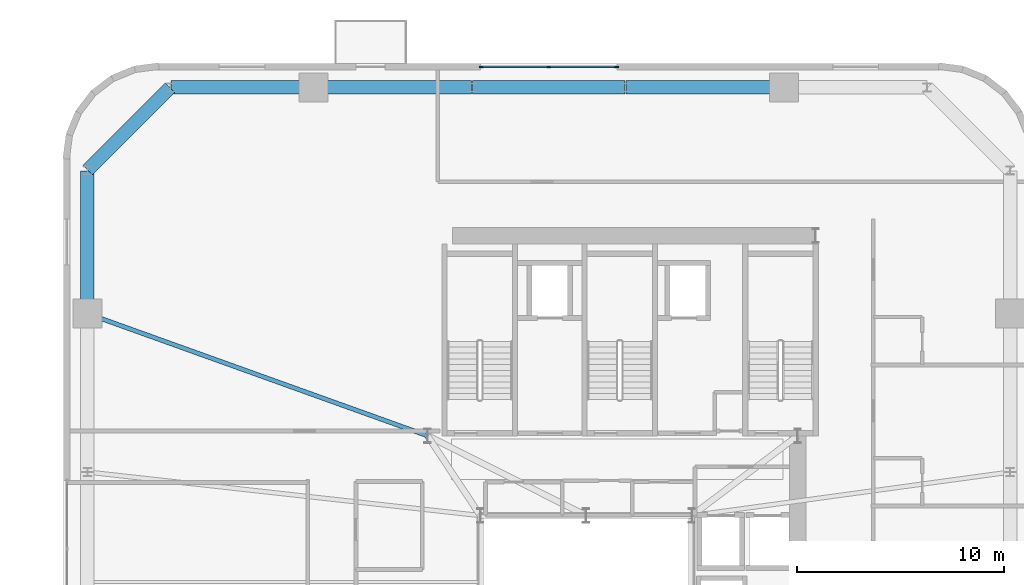
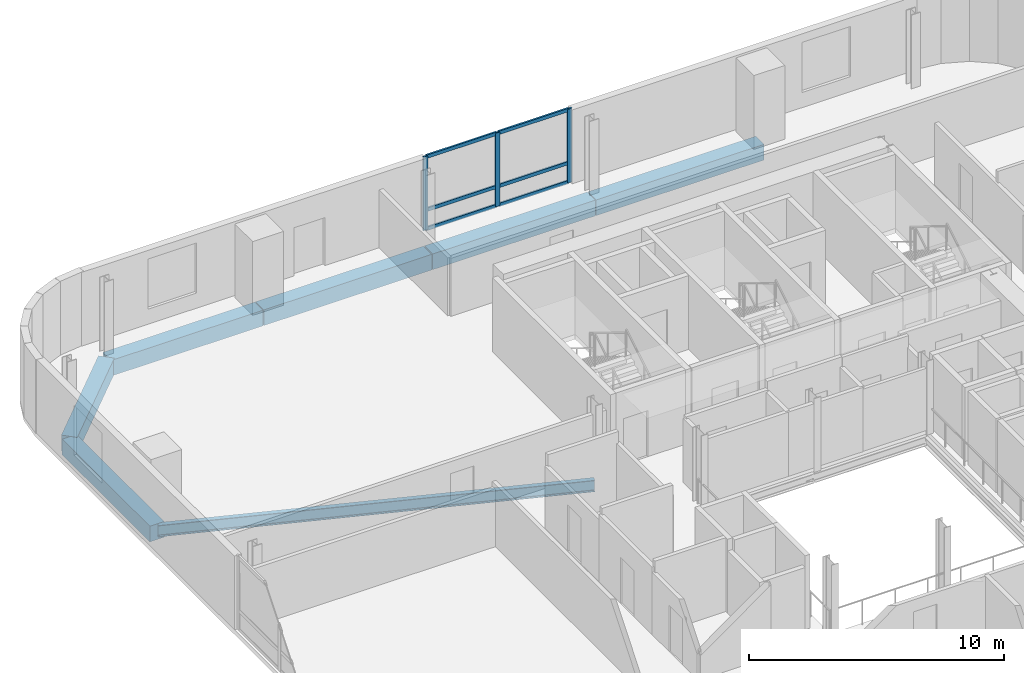
# One storey, part 6 of 15: 9 members, 7 beams, 1 element without a shape of its own.
"""IFC4 building model written with IfcOpenShell, lengths in metres."""

from ifc_helpers import new_model, si_unit, direction, frame, origin, origin_2d, place, context, subcontext, project, spatial, rectangle, i_section, extrude, source, transform, mapped, material, material_profile, profile_set, type_object, element, aggregate, save


model = new_model("IFC4")

# Units and contexts
model_context = context("Model", 3, precision=1e-05, world=origin(), true_north=direction((0.0, 1.0)))
body_context = subcontext(model_context, "Body", "Model", "MODEL_VIEW")
ifc_project = project(units=[si_unit("LENGTHUNIT", "METRE"), si_unit("AREAUNIT", "SQUARE_METRE"), si_unit("VOLUMEUNIT", "CUBIC_METRE"), si_unit("PLANEANGLEUNIT", "RADIAN"), si_unit("MASSUNIT", "GRAM", prefix="KILO")], contexts=[model_context])

# Site, building, storey
site_placement = place(None, origin())
site = spatial("IfcSite", under=ifc_project, at=site_placement, CompositionType="ELEMENT")
building_placement = place(site_placement, origin())
building = spatial("IfcBuilding", under=site, at=building_placement, Name="Vardaveli Station Tower", CompositionType="ELEMENT")
storey_placement = place(building_placement, frame((0.0, 0.0, 229.800048828125)))
storey = spatial("IfcBuildingStorey", under=building, at=storey_placement, Name="L59", CompositionType="ELEMENT", Elevation=229.800048828125)

# Beams
ifc_material_1 = material(Name="Precast concrete C45/55", Category="concrete")
ifc_material_profile_1 = material_profile(ifc_material_1, rectangle(XDim=0.64990234375, YDim=0.75, at=origin_2d()), Name="LPB 650x750")
ifc_profile_set_1 = profile_set([ifc_material_profile_1], Name="Precast concrete C45/55")
beam_type_1 = type_object("IfcBeamType", Name="BM-LPB-750", PredefinedType="BEAM", material=ifc_profile_set_1)
shared_shape_1 = source(origin(), body_context, "Body", "SweptSolid", [
    extrude(rectangle(XDim=0.64990234375, YDim=0.75, at=origin_2d()), origin(), (0.0, 0.0, 1.0), 7.60009765625),
])
for number, where, z_axis, x_axis, name in (
    (1, (45.820068359375, 47.449951171875, -0.594970703125), (-1.0, 0.0, 0.0), (0.0, -1.0, 0.0), "RBM-L59-13"),
    (2, (30.780029296875, 47.449951171875, -0.594970703125), (-1.0, 0.0, 0.0), (0.0, -1.0, 0.0), "RBM-L59-15"),
):
    element("IfcBeam", number, at=place(storey_placement, frame(where, z_axis=z_axis, x_axis=x_axis)), inside=storey, type_object=beam_type_1, Name=name, PredefinedType="BEAM", context=body_context, shape_type="MappedRepresentation", body=[
        mapped(shared_shape_1, transform((0.0, 0.0, 0.0), scale=1.0)),
    ])
shared_shape_2 = source(origin(), body_context, "Body", "SweptSolid", [
    extrude(rectangle(XDim=0.64990234375, YDim=0.75, at=origin_2d()), origin(), (0.0, 0.0, 1.0), 7.35986328125),
])
beam_1_placement = place(storey_placement, frame((38.179931640625, 47.449951171875, -0.594970703125), z_axis=(-1.0, 0.0, 0.0), x_axis=(0.0, -1.0, 0.0)))
element("IfcBeam", 3, at=beam_1_placement, inside=storey, type_object=beam_type_1, Name="RBM-L59-14", PredefinedType="BEAM", context=body_context, shape_type="MappedRepresentation", body=[
    mapped(shared_shape_2, transform((0.0, 0.0, 0.0), scale=1.0)),
])
shared_shape_3 = source(origin(), body_context, "Body", "SweptSolid", [
    extrude(rectangle(XDim=0.64990234375, YDim=0.75, at=origin_2d()), origin(), (0.0, 0.0, 1.0), 6.869873046875),
])
for number, where, z_axis, x_axis, name in (
    (4, (23.139892578125, 47.449951171875, -0.594970703125), (-1.0, 0.0, 0.0), (0.0, -1.0, 0.0), "RBM-L59-16"),
    (5, (12.25, 43.429931640625, -0.594970703125), (0.0, -1.0, 0.0), (1.0, 0.0, 0.0), "RBM-L59-18"),
):
    element("IfcBeam", number, at=place(storey_placement, frame(where, z_axis=z_axis, x_axis=x_axis)), inside=storey, type_object=beam_type_1, Name=name, PredefinedType="BEAM", context=body_context, shape_type="MappedRepresentation", body=[
        mapped(shared_shape_3, transform((0.0, 0.0, 0.0), scale=1.0)),
    ])
shared_shape_4 = source(origin(), body_context, "Body", "SweptSolid", [
    extrude(rectangle(XDim=0.64990234375, YDim=0.75, at=origin_2d()), origin(), (0.0, 0.0, 1.0), 5.61669921875),
])
beam_2_placement = place(storey_placement, frame((16.23583984375, 47.435791015625, -0.594970703125), z_axis=(-0.707106781187, -0.707106781187, 0.0), x_axis=(0.707106781187, -0.707106781187, 0.0)))
element("IfcBeam", 6, at=beam_2_placement, inside=storey, type_object=beam_type_1, Name="RBM-L59-17", PredefinedType="BEAM", context=body_context, shape_type="MappedRepresentation", body=[
    mapped(shared_shape_4, transform((0.0, 0.0, 0.0), scale=1.0)),
])
ifc_material_2 = material(Name="Structural steel S355J2", Category="steel")
ifc_material_profile_2 = material_profile(ifc_material_2, i_section(OverallWidth=0.2099609375, OverallDepth=0.550048828125, WebThickness=0.010986328125, FlangeThickness=0.01708984375, FilletRadius=0.02392578125, at=origin_2d()), Name="IPE 550")
ifc_profile_set_2 = profile_set([ifc_material_profile_2], Name="Structural steel S355J2")
beam_type_2 = type_object("IfcBeamType", Name="BM-IPE550", PredefinedType="BEAM", material=ifc_profile_set_2)
shared_shape_5 = source(origin(), body_context, "Body", "SweptSolid", [
    extrude(i_section(OverallWidth=0.2099609375, OverallDepth=0.550048828125, WebThickness=0.010986328125, FlangeThickness=0.01708984375, FilletRadius=0.02392578125, at=origin_2d()), origin(), (0.0, 0.0, 1.0), 17.385498046875),
])
beam_3_placement = place(storey_placement, frame((12.268798828125, 36.533203125, -0.4951171875), z_axis=(0.941143134401, -0.338008284766, 0.0), x_axis=(0.338008284766, 0.941143134401, 0.0)))
element("IfcBeam", 7, at=beam_3_placement, inside=storey, type_object=beam_type_2, Name="GBM-L59-12", PredefinedType="BEAM", context=body_context, shape_type="MappedRepresentation", body=[
    mapped(shared_shape_5, transform((0.0, 0.0, 0.0), scale=1.0)),
])

# Curtain wall, members
ifc_material_3 = material(Name="Travertine stone and solar-control glass", Category="masonry")
curtain_wall_type = type_object("IfcCurtainWallType", Name="CW-SYS-5", PredefinedType="NOTDEFINED", material=ifc_material_3)
curtain_wall_placement = place(storey_placement, origin())
curtain_wall = element("IfcCurtainWall", 8, at=curtain_wall_placement, inside=storey, type_object=curtain_wall_type, Name="CW-L59-N", PredefinedType="NOTDEFINED")
ifc_material_4 = material(Name="Anodised aluminium alloy 6063-T6", Category="aluminium")
ifc_material_profile_3 = material_profile(ifc_material_4, rectangle(XDim=0.080078125, YDim=0.1650390625, at=origin_2d()), Name="CWT 80x165")
ifc_profile_set_3 = profile_set([ifc_material_profile_3], Name="Anodised aluminium alloy 6063-T6")
member_type_1 = type_object("IfcMemberType", Name="CW-SYS-5-TRAN", PredefinedType="NOTDEFINED", material=ifc_profile_set_3)
shared_shape_6 = source(origin(), body_context, "Body", "SweptSolid", [
    extrude(rectangle(XDim=0.080078125, YDim=0.1650390625, at=origin_2d()), origin(), (0.0, 0.0, 1.0), 3.179931640625),
])
member_1_placement = place(storey_placement, frame((37.719970703125, 48.43994140625, 0.0400390625), z_axis=(-1.0, 0.0, 0.0), x_axis=(0.0, -1.0, 0.0)))
member_1 = element("IfcMember", 9, at=member_1_placement, type_object=member_type_1, Name="CW-5 transom 1.1", ObjectType="TRANSOM", PredefinedType="USERDEFINED", context=body_context, shape_type="MappedRepresentation", body=[
    mapped(shared_shape_6, transform((0.0, 0.0, 0.0), scale=1.0)),
])
member_2_placement = place(storey_placement, frame((37.719970703125, 48.43994140625, 0.949951171875), z_axis=(-1.0, 0.0, 0.0), x_axis=(0.0, -1.0, 0.0)))
member_2 = element("IfcMember", 10, at=member_2_placement, type_object=member_type_1, Name="CW-5 transom 1.2", ObjectType="TRANSOM", PredefinedType="USERDEFINED", context=body_context, shape_type="MappedRepresentation", body=[
    mapped(shared_shape_6, transform((0.0, 0.0, 0.0), scale=1.0)),
])
member_3_placement = place(storey_placement, frame((37.719970703125, 48.43994140625, 3.489990234375), z_axis=(-1.0, 0.0, 0.0), x_axis=(0.0, -1.0, 0.0)))
member_3 = element("IfcMember", 11, at=member_3_placement, type_object=member_type_1, Name="CW-5 transom 1.3", ObjectType="TRANSOM", PredefinedType="USERDEFINED", context=body_context, shape_type="MappedRepresentation", body=[
    mapped(shared_shape_6, transform((0.0, 0.0, 0.0), scale=1.0)),
])
member_4_placement = place(storey_placement, frame((34.4599609375, 48.43994140625, 0.0400390625), z_axis=(-1.0, 0.0, 0.0), x_axis=(0.0, -1.0, 0.0)))
member_4 = element("IfcMember", 12, at=member_4_placement, type_object=member_type_1, Name="CW-5 transom 2.1", ObjectType="TRANSOM", PredefinedType="USERDEFINED", context=body_context, shape_type="MappedRepresentation", body=[
    mapped(shared_shape_6, transform((0.0, 0.0, 0.0), scale=1.0)),
])
member_5_placement = place(storey_placement, frame((34.4599609375, 48.43994140625, 0.949951171875), z_axis=(-1.0, 0.0, 0.0), x_axis=(0.0, -1.0, 0.0)))
member_5 = element("IfcMember", 13, at=member_5_placement, type_object=member_type_1, Name="CW-5 transom 2.2", ObjectType="TRANSOM", PredefinedType="USERDEFINED", context=body_context, shape_type="MappedRepresentation", body=[
    mapped(shared_shape_6, transform((0.0, 0.0, 0.0), scale=1.0)),
])
member_6_placement = place(storey_placement, frame((34.4599609375, 48.43994140625, 3.489990234375), z_axis=(-1.0, 0.0, 0.0), x_axis=(0.0, -1.0, 0.0)))
member_6 = element("IfcMember", 14, at=member_6_placement, type_object=member_type_1, Name="CW-5 transom 2.3", ObjectType="TRANSOM", PredefinedType="USERDEFINED", context=body_context, shape_type="MappedRepresentation", body=[
    mapped(shared_shape_6, transform((0.0, 0.0, 0.0), scale=1.0)),
])
ifc_material_profile_4 = material_profile(ifc_material_4, rectangle(XDim=0.080078125, YDim=0.205078125, at=origin_2d()), Name="CWM 80x205")
ifc_profile_set_4 = profile_set([ifc_material_profile_4], Name="Anodised aluminium alloy 6063-T6")
member_type_2 = type_object("IfcMemberType", Name="CW-SYS-5-MULL", PredefinedType="MULLION", material=ifc_profile_set_4)
shared_shape_7 = source(origin(), body_context, "Body", "SweptSolid", [
    extrude(rectangle(XDim=0.080078125, YDim=0.205078125, at=origin_2d()), origin(), (0.0, 0.0, 1.0), 3.530029296875),
])
member_7_placement = place(storey_placement, frame((37.760009765625, 48.43994140625, 0.0), z_axis=(0.0, 0.0, 1.0), x_axis=(0.0, -1.0, 0.0)))
member_7 = element("IfcMember", 15, at=member_7_placement, type_object=member_type_2, Name="CW-5 mullion 1", PredefinedType="MULLION", context=body_context, shape_type="MappedRepresentation", body=[
    mapped(shared_shape_7, transform((0.0, 0.0, 0.0), scale=1.0)),
])
member_8_placement = place(storey_placement, frame((34.5, 48.43994140625, 0.0), z_axis=(0.0, 0.0, 1.0), x_axis=(0.0, -1.0, 0.0)))
member_8 = element("IfcMember", 16, at=member_8_placement, type_object=member_type_2, Name="CW-5 mullion 2", PredefinedType="MULLION", context=body_context, shape_type="MappedRepresentation", body=[
    mapped(shared_shape_7, transform((0.0, 0.0, 0.0), scale=1.0)),
])
member_9_placement = place(storey_placement, frame((31.239990234375, 48.43994140625, 0.0), z_axis=(0.0, 0.0, 1.0), x_axis=(0.0, -1.0, 0.0)))
member_9 = element("IfcMember", 17, at=member_9_placement, type_object=member_type_2, Name="CW-5 mullion 3", PredefinedType="MULLION", context=body_context, shape_type="MappedRepresentation", body=[
    mapped(shared_shape_7, transform((0.0, 0.0, 0.0), scale=1.0)),
])
aggregate(curtain_wall, [member_7, member_8, member_9, member_1, member_2, member_3, member_4, member_5, member_6])

save(model, "model.ifc")
